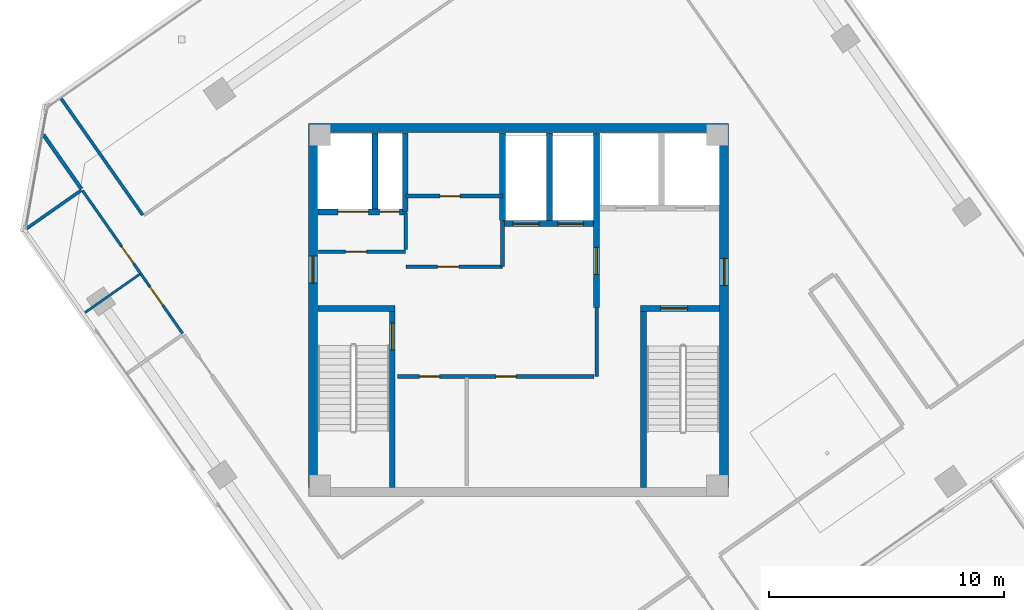
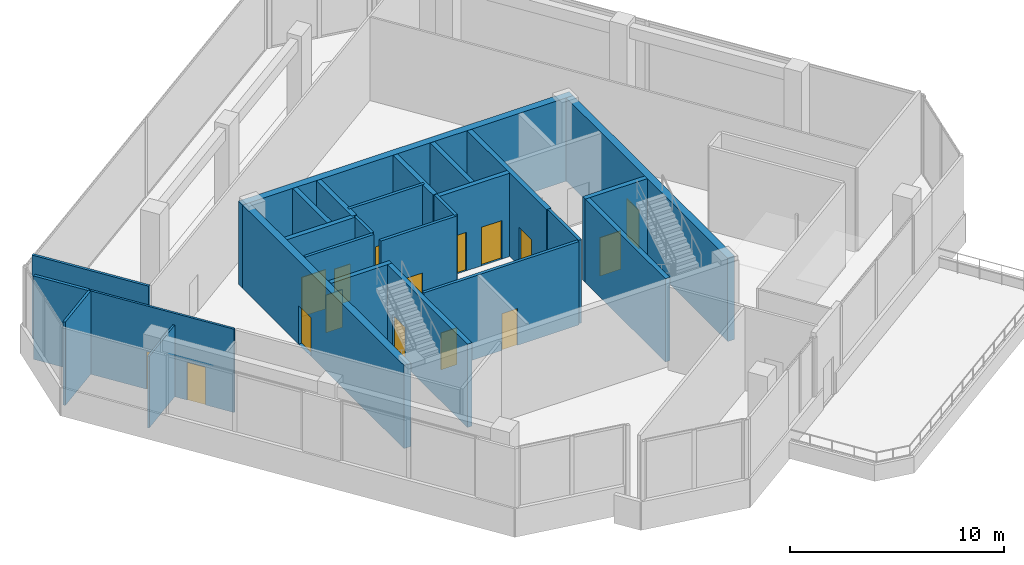
# One storey, part 11 of 16: 26 walls, 16 doors, 16 openings.
"""IFC4 building model written with IfcOpenShell, lengths in metres."""

from ifc_helpers import new_model, si_unit, direction, frame, frame_2d, origin, place, context, subcontext, project, spatial, rectangle, extrude, source, transform, mapped, material, layer, layer_set, type_object, element, fill, save


model = new_model("IFC4")

# Units and contexts
model_context = context("Model", 3, precision=1e-05, world=origin(), true_north=direction((0.0, 1.0)))
body_context = subcontext(model_context, "Body", "Model", "MODEL_VIEW")
ifc_project = project(units=[si_unit("LENGTHUNIT", "METRE"), si_unit("AREAUNIT", "SQUARE_METRE"), si_unit("VOLUMEUNIT", "CUBIC_METRE"), si_unit("PLANEANGLEUNIT", "RADIAN"), si_unit("MASSUNIT", "GRAM", prefix="KILO")], contexts=[model_context])

# Site, building, storey
site_placement = place(None, origin())
site = spatial("IfcSite", under=ifc_project, at=site_placement, CompositionType="ELEMENT")
building_placement = place(site_placement, origin())
building = spatial("IfcBuilding", under=site, at=building_placement, Name="Torre Montelarca", CompositionType="ELEMENT")
storey_placement = place(building_placement, frame((0.0, 0.0, 293.800048828125)))
storey = spatial("IfcBuildingStorey", under=building, at=storey_placement, Name="L66", CompositionType="ELEMENT", Elevation=293.800048828125)

# Wall, opening, door
ifc_material_1 = material(Name="Concrete C40/50", Category="concrete")
ifc_layer_1 = layer(ifc_material_1, 0.25, Name="Concrete C40/50", Category="concrete")
ifc_layer_set_1 = layer_set([ifc_layer_1], Name="Concrete C40/50")
wall_type_1 = type_object("IfcWallType", Name="CW-SHAFT-250", PredefinedType="SHEAR", material=ifc_layer_set_1)
wall_1_placement = place(storey_placement, frame((12.625, 24.4599609375, 0.0), z_axis=(0.0, 0.0, 1.0), x_axis=(0.0, 1.0, 0.0)))
wall_1 = element("IfcWall", 1, at=wall_1_placement, inside=storey, type_object=wall_type_1, Name="L66 Core Shear Wall SH-ST1-E", PredefinedType="SHEAR", context=body_context, shape_type="SweptSolid", body=[
    extrude(rectangle(XDim=7.489990234375, YDim=0.25, at=frame_2d((3.7451171875, 0.0))), origin(), (0.0, 0.0, 1.0), 4.760009765625),
])
opening_1_placement = place(wall_1_placement, frame((5.85009765625, 0.0, 0.0)))
opening_1 = element("IfcOpeningElement", 2, at=opening_1_placement, cuts=wall_1, Name="Opening FD-ST1", PredefinedType="OPENING", context=body_context, shape_type="SweptSolid", body=[
    extrude(rectangle(XDim=1.14990234375, YDim=2.199951171875, at=frame_2d((0.574951171875, 1.10009765625))), frame((0.0, 0.135009765625, 0.0), z_axis=(0.0, -1.0, 0.0), x_axis=(1.0, 0.0, 0.0)), (0.0, 0.0, 1.0), 0.27001953125),
])
ifc_material_2 = material(Name="Galvanized steel fire door", Category="steel")
door_type_1 = type_object("IfcDoorType", Name="DR-STAIR-115", OperationType="NOTDEFINED", PredefinedType="DOOR", material=ifc_material_2)
shared_shape_1 = source(origin(), body_context, "Body", "SweptSolid", [
    extrude(rectangle(XDim=1.14990234375, YDim=2.199951171875, at=frame_2d((0.574951171875, 1.10009765625))), frame((0.0, 0.02490234375, 0.0), z_axis=(0.0, -1.0, 0.0), x_axis=(1.0, 0.0, 0.0)), (0.0, 0.0, 1.0), 0.050048828125),
])
door_1_placement = place(opening_1_placement, origin())
door_1 = element("IfcDoor", 3, at=door_1_placement, inside=storey, type_object=door_type_1, Name="L66 Exit Stair ST1 Fire Door", OperationType="SINGLE_SWING_RIGHT", OverallHeight=2.199951171875, OverallWidth=1.14990234375, PredefinedType="DOOR", context=body_context, shape_type="MappedRepresentation", body=[
    mapped(shared_shape_1, transform((0.0, 0.0, 0.0), scale=1.0)),
])
fill(opening_1, door_1)

# Walls
wall_2_placement = place(storey_placement, frame((9.4599609375, 32.074951171875, 0.0), z_axis=(0.0, 0.0, 1.0), x_axis=(1.0, 0.0, 0.0)))
element("IfcWall", 4, at=wall_2_placement, inside=storey, type_object=wall_type_1, Name="L66 Core Shear Wall SH-ST1-N", PredefinedType="SHEAR", context=body_context, shape_type="SweptSolid", body=[
    extrude(rectangle(XDim=3.2900390625, YDim=0.25, at=frame_2d((1.64501953125, 0.0))), origin(), (0.0, 0.0, 1.0), 4.760009765625),
])
wall_3_placement = place(storey_placement, frame((23.31494140625, 24.4599609375, 0.0), z_axis=(0.0, 0.0, 1.0), x_axis=(0.0, 1.0, 0.0)))
element("IfcWall", 5, at=wall_3_placement, inside=storey, type_object=wall_type_1, Name="L66 Core Shear Wall SH-ST2-W", PredefinedType="SHEAR", context=body_context, shape_type="SweptSolid", body=[
    extrude(rectangle(XDim=7.489990234375, YDim=0.25, at=frame_2d((3.7451171875, 0.0))), origin(), (0.0, 0.0, 1.0), 4.760009765625),
])

# Wall, opening, door
wall_4_placement = place(storey_placement, frame((23.18994140625, 32.074951171875, 0.0), z_axis=(0.0, 0.0, 1.0), x_axis=(1.0, 0.0, 0.0)))
wall_4 = element("IfcWall", 6, at=wall_4_placement, inside=storey, type_object=wall_type_1, Name="L66 Core Shear Wall SH-ST2-N", PredefinedType="SHEAR", context=body_context, shape_type="SweptSolid", body=[
    extrude(rectangle(XDim=3.35009765625, YDim=0.25, at=frame_2d((1.675048828125, 0.0))), origin(), (0.0, 0.0, 1.0), 4.760009765625),
])
opening_2_placement = place(wall_4_placement, frame((0.85009765625, 0.0, 0.0)))
opening_2 = element("IfcOpeningElement", 7, at=opening_2_placement, cuts=wall_4, Name="Opening FD-ST1", PredefinedType="OPENING", context=body_context, shape_type="SweptSolid", body=[
    extrude(rectangle(XDim=1.14990234375, YDim=2.199951171875, at=frame_2d((0.574951171875, 1.10009765625))), frame((0.0, 0.135009765625, 0.0), z_axis=(0.0, -1.0, 0.0), x_axis=(1.0, 0.0, 0.0)), (0.0, 0.0, 1.0), 0.27001953125),
])
door_2_placement = place(opening_2_placement, origin())
door_2 = element("IfcDoor", 8, at=door_2_placement, inside=storey, type_object=door_type_1, Name="L66 Exit Stair ST2 Fire Door", OperationType="SINGLE_SWING_RIGHT", OverallHeight=2.199951171875, OverallWidth=1.14990234375, PredefinedType="DOOR", context=body_context, shape_type="MappedRepresentation", body=[
    mapped(shared_shape_1, transform((0.0, 0.0, 0.0), scale=1.0)),
])
fill(opening_2, door_2)

wall_5_placement = place(storey_placement, frame((21.320068359375, 32.1201171875, 0.0), z_axis=(0.0, 0.0, 1.0), x_axis=(0.0, 1.0, 0.0)))
wall_5 = element("IfcWall", 9, at=wall_5_placement, inside=storey, type_object=wall_type_1, Name="L66 Core Shear Wall SH-FFL-W", PredefinedType="SHEAR", context=body_context, shape_type="SweptSolid", body=[
    extrude(rectangle(XDim=7.419921875, YDim=0.25, at=frame_2d((3.7099609375, 0.0))), origin(), (0.0, 0.0, 1.0), 4.760009765625),
])
opening_3_placement = place(wall_5_placement, frame((1.39990234375, 0.0, 0.0)))
opening_3 = element("IfcOpeningElement", 10, at=opening_3_placement, cuts=wall_5, Name="Opening FD-LB1", PredefinedType="OPENING", context=body_context, shape_type="SweptSolid", body=[
    extrude(rectangle(XDim=1.14990234375, YDim=2.199951171875, at=frame_2d((0.574951171875, 1.10009765625))), frame((0.0, 0.135009765625, 0.0), z_axis=(0.0, -1.0, 0.0), x_axis=(1.0, 0.0, 0.0)), (0.0, 0.0, 1.0), 0.27001953125),
])
ifc_material_3 = material(Name="Acoustic timber-veneered fire door", Category="wood")
door_type_2 = type_object("IfcDoorType", Name="DR-LOBBY-115", OperationType="NOTDEFINED", PredefinedType="DOOR", material=ifc_material_3)
shared_shape_2 = source(origin(), body_context, "Body", "SweptSolid", [
    extrude(rectangle(XDim=1.14990234375, YDim=2.199951171875, at=frame_2d((0.574951171875, 1.10009765625))), frame((0.0, 0.02490234375, 0.0), z_axis=(0.0, -1.0, 0.0), x_axis=(1.0, 0.0, 0.0)), (0.0, 0.0, 1.0), 0.050048828125),
])
door_3_placement = place(opening_3_placement, origin())
door_3 = element("IfcDoor", 11, at=door_3_placement, inside=storey, type_object=door_type_2, Name="L66 Lift Lobby to Firefighting Lobby Smoke Door", OperationType="SINGLE_SWING_LEFT", OverallHeight=2.199951171875, OverallWidth=1.14990234375, PredefinedType="DOOR", context=body_context, shape_type="MappedRepresentation", body=[
    mapped(shared_shape_2, transform((0.0, 0.0, 0.0), scale=1.0)),
])
fill(opening_3, door_3)

# Wall, openings, doors
wall_6_placement = place(storey_placement, frame((9.4599609375, 36.179931640625, 0.0), z_axis=(0.0, 0.0, 1.0), x_axis=(1.0, 0.0, 0.0)))
wall_6 = element("IfcWall", 12, at=wall_6_placement, inside=storey, type_object=wall_type_1, Name="L66 Core Shear Wall SH-SV1-S", PredefinedType="SHEAR", context=body_context, shape_type="SweptSolid", body=[
    extrude(rectangle(XDim=3.7900390625, YDim=0.25, at=frame_2d((1.89501953125, 0.0))), origin(), (0.0, 0.0, 1.0), 4.760009765625),
])
opening_4_placement = place(wall_6_placement, frame((2.6201171875, 0.0, 0.0)))
opening_4 = element("IfcOpeningElement", 13, at=opening_4_placement, cuts=wall_6, Name="Opening FD-085", PredefinedType="OPENING", context=body_context, shape_type="SweptSolid", body=[
    extrude(rectangle(XDim=0.85009765625, YDim=2.10009765625, at=frame_2d((0.425048828125, 1.050048828125))), frame((0.0, 0.135009765625, 0.0), z_axis=(0.0, -1.0, 0.0), x_axis=(1.0, 0.0, 0.0)), (0.0, 0.0, 1.0), 0.27001953125),
])
opening_5_placement = place(wall_6_placement, frame((0.85009765625, 0.0, 0.0)))
opening_5 = element("IfcOpeningElement", 14, at=opening_5_placement, cuts=wall_6, Name="Opening LD-130", PredefinedType="OPENING", context=body_context, shape_type="SweptSolid", body=[
    extrude(rectangle(XDim=1.300048828125, YDim=2.25, at=frame_2d((0.64990234375, 1.125))), frame((0.0, 0.135009765625, 0.0), z_axis=(0.0, -1.0, 0.0), x_axis=(1.0, 0.0, 0.0)), (0.0, 0.0, 1.0), 0.27001953125),
])
ifc_material_4 = material(Name="Steel riser access fire door", Category="steel")
door_type_3 = type_object("IfcDoorType", Name="DR-RISER-085", OperationType="NOTDEFINED", PredefinedType="DOOR", material=ifc_material_4)
shared_shape_3 = source(origin(), body_context, "Body", "SweptSolid", [
    extrude(rectangle(XDim=0.85009765625, YDim=2.10009765625, at=frame_2d((0.425048828125, 1.050048828125))), frame((0.0, 0.02490234375, 0.0), z_axis=(0.0, -1.0, 0.0), x_axis=(1.0, 0.0, 0.0)), (0.0, 0.0, 1.0), 0.050048828125),
])
door_4_placement = place(opening_4_placement, origin())
door_4 = element("IfcDoor", 15, at=door_4_placement, inside=storey, type_object=door_type_3, Name="L66 Electrical Riser Shaft Access Door", OperationType="SINGLE_SWING_RIGHT", OverallHeight=2.10009765625, OverallWidth=0.85009765625, PredefinedType="DOOR", context=body_context, shape_type="MappedRepresentation", body=[
    mapped(shared_shape_3, transform((0.0, 0.0, 0.0), scale=1.0)),
])
fill(opening_4, door_4)
ifc_material_5 = material(Name="Brushed stainless steel AISI 316", Category="steel")
door_type_4 = type_object("IfcDoorType", Name="DR-LIFT-130", OperationType="SLIDING_TO_LEFT", PredefinedType="DOOR", material=ifc_material_5)
shared_shape_4 = source(origin(), body_context, "Body", "SweptSolid", [
    extrude(rectangle(XDim=1.300048828125, YDim=2.25, at=frame_2d((0.64990234375, 1.125))), frame((0.0, 0.02490234375, 0.0), z_axis=(0.0, -1.0, 0.0), x_axis=(1.0, 0.0, 0.0)), (0.0, 0.0, 1.0), 0.050048828125),
])
door_5_placement = place(opening_5_placement, origin())
door_5 = element("IfcDoor", 16, at=door_5_placement, inside=storey, type_object=door_type_4, Name="L66 Lift Landing Sliding Door SV-1", OperationType="SLIDING_TO_LEFT", OverallHeight=2.25, OverallWidth=1.300048828125, PredefinedType="DOOR", context=body_context, shape_type="MappedRepresentation", body=[
    mapped(shared_shape_4, transform((0.0, 0.0, 0.0), scale=1.0)),
])
fill(opening_5, door_5)

# Walls
wall_7_placement = place(storey_placement, frame((11.89990234375, 36.31005859375, 0.0), z_axis=(0.0, 0.0, 1.0), x_axis=(0.0, 1.0, 0.0)))
element("IfcWall", 17, at=wall_7_placement, inside=storey, type_object=wall_type_1, Name="L66 Core Shear Wall SH-SV1-E", PredefinedType="SHEAR", context=body_context, shape_type="SweptSolid", body=[
    extrude(rectangle(XDim=3.22998046875, YDim=0.25, at=frame_2d((1.614990234375, 0.0))), origin(), (0.0, 0.0, 1.0), 4.760009765625),
])
wall_8_placement = place(storey_placement, frame((13.179931640625, 36.199951171875, 0.0), z_axis=(0.0, 0.0, 1.0), x_axis=(0.0, 1.0, 0.0)))
element("IfcWall", 18, at=wall_8_placement, inside=storey, type_object=wall_type_1, Name="L66 Core Shear Wall SH-RSR1-E", PredefinedType="SHEAR", context=body_context, shape_type="SweptSolid", body=[
    extrude(rectangle(XDim=3.340087890625, YDim=0.25, at=frame_2d((1.669921875, 0.0))), origin(), (0.0, 0.0, 1.0), 4.760009765625),
])

# Wall, openings, doors
wall_9_placement = place(storey_placement, frame((17.320068359375, 35.679931640625, 0.0), z_axis=(0.0, 0.0, 1.0), x_axis=(1.0, 0.0, 0.0)))
wall_9 = element("IfcWall", 19, at=wall_9_placement, inside=storey, type_object=wall_type_1, Name="L66 Core Shear Wall SH-PLH-S", PredefinedType="SHEAR", context=body_context, shape_type="SweptSolid", body=[
    extrude(rectangle(XDim=3.869873046875, YDim=0.25, at=frame_2d((1.93505859375, 0.0))), origin(), (0.0, 0.0, 1.0), 4.760009765625),
])
opening_6_placement = place(wall_9_placement, frame((0.449951171875, 0.0, 0.0)))
opening_6 = element("IfcOpeningElement", 20, at=opening_6_placement, cuts=wall_9, Name="Opening LD-110", PredefinedType="OPENING", context=body_context, shape_type="SweptSolid", body=[
    extrude(rectangle(XDim=1.10009765625, YDim=2.199951171875, at=frame_2d((0.550048828125, 1.10009765625))), frame((0.0, 0.135009765625, 0.0), z_axis=(0.0, -1.0, 0.0), x_axis=(1.0, 0.0, 0.0)), (0.0, 0.0, 1.0), 0.27001953125),
])
opening_7_placement = place(wall_9_placement, frame((2.35009765625, 0.0, 0.0)))
opening_7 = element("IfcOpeningElement", 21, at=opening_7_placement, cuts=wall_9, Name="Opening LD-110", PredefinedType="OPENING", context=body_context, shape_type="SweptSolid", body=[
    extrude(rectangle(XDim=1.10009765625, YDim=2.199951171875, at=frame_2d((0.550048828125, 1.10009765625))), frame((0.0, 0.135009765625, 0.0), z_axis=(0.0, -1.0, 0.0), x_axis=(1.0, 0.0, 0.0)), (0.0, 0.0, 1.0), 0.27001953125),
])
door_type_5 = type_object("IfcDoorType", Name="DR-LIFT-110", OperationType="SLIDING_TO_LEFT", PredefinedType="DOOR", material=ifc_material_5)
shared_shape_5 = source(origin(), body_context, "Body", "SweptSolid", [
    extrude(rectangle(XDim=1.10009765625, YDim=2.199951171875, at=frame_2d((0.550048828125, 1.10009765625))), frame((0.0, 0.02490234375, 0.0), z_axis=(0.0, -1.0, 0.0), x_axis=(1.0, 0.0, 0.0)), (0.0, 0.0, 1.0), 0.050048828125),
])
door_6_placement = place(opening_6_placement, origin())
door_6 = element("IfcDoor", 22, at=door_6_placement, inside=storey, type_object=door_type_5, Name="L66 Lift Landing Sliding Door PL-H1", OperationType="SLIDING_TO_LEFT", OverallHeight=2.199951171875, OverallWidth=1.10009765625, PredefinedType="DOOR", context=body_context, shape_type="MappedRepresentation", body=[
    mapped(shared_shape_5, transform((0.0, 0.0, 0.0), scale=1.0)),
])
fill(opening_6, door_6)
door_7_placement = place(opening_7_placement, origin())
door_7 = element("IfcDoor", 23, at=door_7_placement, inside=storey, type_object=door_type_5, Name="L66 Lift Landing Sliding Door PL-H2", OperationType="SLIDING_TO_RIGHT", OverallHeight=2.199951171875, OverallWidth=1.10009765625, PredefinedType="DOOR", context=body_context, shape_type="MappedRepresentation", body=[
    mapped(shared_shape_5, transform((0.0, 0.0, 0.0), scale=1.0)),
])
fill(opening_7, door_7)

# Walls
for number, where, z_axis, x_axis, name in (
    (24, (17.320068359375, 35.81005859375, 0.0), (0.0, 0.0, 1.0), (0.0, 1.0, 0.0), "L66 Core Shear Wall SH-PLH-W"),
    (25, (19.320068359375, 35.81005859375, 0.0), (0.0, 0.0, 1.0), (0.0, 1.0, 0.0), "L66 Core Shear Wall SH-PLH-M"),
):
    element("IfcWall", number, at=place(storey_placement, frame(where, z_axis=z_axis, x_axis=x_axis)), inside=storey, type_object=wall_type_1, Name=name, PredefinedType="SHEAR", context=body_context, shape_type="SweptSolid", body=[
        extrude(rectangle(XDim=3.72998046875, YDim=0.25, at=frame_2d((1.864990234375, 0.0))), origin(), (0.0, 0.0, 1.0), 4.760009765625),
    ])

# Wall, opening, door
ifc_layer_2 = layer(ifc_material_1, 0.3798828125, Name="Concrete C40/50", Category="concrete")
ifc_layer_set_2 = layer_set([ifc_layer_2], Name="Concrete C40/50")
wall_type_2 = type_object("IfcWallType", Name="CW-SHEAR-380", PredefinedType="SHEAR", material=ifc_layer_set_2)
wall_10_placement = place(storey_placement, frame((9.260009765625, 24.449951171875, 0.0), z_axis=(0.0, 0.0, 1.0), x_axis=(0.0, 1.0, 0.0)))
wall_10 = element("IfcWall", 26, at=wall_10_placement, inside=storey, type_object=wall_type_2, Name="L66 Core Shear Wall CW-W", PredefinedType="SHEAR", context=body_context, shape_type="SweptSolid", body=[
    extrude(rectangle(XDim=15.10009765625, YDim=0.3798828125, at=frame_2d((7.550048828125, 0.0))), origin(), (0.0, 0.0, 1.0), 4.760009765625),
])
opening_8_placement = place(wall_10_placement, frame((8.699951171875, 0.0, 0.0)))
opening_8 = element("IfcOpeningElement", 27, at=opening_8_placement, cuts=wall_10, Name="Opening FD-LB1", PredefinedType="OPENING", context=body_context, shape_type="SweptSolid", body=[
    extrude(rectangle(XDim=1.14990234375, YDim=2.199951171875, at=frame_2d((0.574951171875, 1.10009765625))), frame((0.0, 0.199951171875, 0.0), z_axis=(0.0, -1.0, 0.0), x_axis=(1.0, 0.0, 0.0)), (0.0, 0.0, 1.0), 0.39990234375),
])
door_8_placement = place(opening_8_placement, origin())
door_8 = element("IfcDoor", 28, at=door_8_placement, inside=storey, type_object=door_type_2, Name="L66 Passenger Lift Lobby West Corridor Fire Door", OperationType="SINGLE_SWING_RIGHT", OverallHeight=2.199951171875, OverallWidth=1.14990234375, PredefinedType="DOOR", context=body_context, shape_type="MappedRepresentation", body=[
    mapped(shared_shape_2, transform((0.0, 0.0, 0.0), scale=1.0)),
])
fill(opening_8, door_8)

wall_11_placement = place(storey_placement, frame((26.739990234375, 24.449951171875, 0.0), z_axis=(0.0, 0.0, 1.0), x_axis=(0.0, 1.0, 0.0)))
wall_11 = element("IfcWall", 29, at=wall_11_placement, inside=storey, type_object=wall_type_2, Name="L66 Core Shear Wall CW-E", PredefinedType="SHEAR", context=body_context, shape_type="SweptSolid", body=[
    extrude(rectangle(XDim=15.10009765625, YDim=0.3798828125, at=frame_2d((7.550048828125, 0.0))), origin(), (0.0, 0.0, 1.0), 4.760009765625),
])
opening_9_placement = place(wall_11_placement, frame((8.60009765625, 0.0, 0.0)))
opening_9 = element("IfcOpeningElement", 30, at=opening_9_placement, cuts=wall_11, Name="Opening FD-LB1", PredefinedType="OPENING", context=body_context, shape_type="SweptSolid", body=[
    extrude(rectangle(XDim=1.14990234375, YDim=2.199951171875, at=frame_2d((0.574951171875, 1.10009765625))), frame((0.0, 0.199951171875, 0.0), z_axis=(0.0, -1.0, 0.0), x_axis=(1.0, 0.0, 0.0)), (0.0, 0.0, 1.0), 0.39990234375),
])
door_9_placement = place(opening_9_placement, origin())
door_9 = element("IfcDoor", 31, at=door_9_placement, inside=storey, type_object=door_type_2, Name="L66 Firefighting Lift Lobby Corridor Fire Door", OperationType="SINGLE_SWING_RIGHT", OverallHeight=2.199951171875, OverallWidth=1.14990234375, PredefinedType="DOOR", context=body_context, shape_type="MappedRepresentation", body=[
    mapped(shared_shape_2, transform((0.0, 0.0, 0.0), scale=1.0)),
])
fill(opening_9, door_9)

# Wall
wall_12_placement = place(storey_placement, frame((9.070068359375, 39.739990234375, 0.0), z_axis=(0.0, 0.0, 1.0), x_axis=(1.0, 0.0, 0.0)))
element("IfcWall", 32, at=wall_12_placement, inside=storey, type_object=wall_type_2, Name="L66 Core Shear Wall CW-N1", PredefinedType="SHEAR", context=body_context, shape_type="SweptSolid", body=[
    extrude(rectangle(XDim=17.85986328125, YDim=0.3798828125, at=frame_2d((8.929931640625, 0.0))), origin(), (0.0, 0.0, 1.0), 4.760009765625),
])

# Wall, opening, door
ifc_material_6 = material(Name="Gypsum plasterboard on steel stud", Category="steel")
ifc_layer_3 = layer(ifc_material_6, 0.159912109375, Name="Gypsum plasterboard on steel stud", Category="steel")
ifc_layer_set_3 = layer_set([ifc_layer_3], Name="Gypsum plasterboard on steel stud")
wall_type_3 = type_object("IfcWallType", Name="PW-FIRE-160", PredefinedType="PARTITIONING", material=ifc_layer_set_3)
wall_13_placement = place(storey_placement, frame((9.489990234375, 34.47998046875, 0.0), z_axis=(0.0, 0.0, 1.0), x_axis=(1.0, 0.0, 0.0)))
wall_13 = element("IfcWall", 33, at=wall_13_placement, inside=storey, type_object=wall_type_3, Name="L66 Interior Partition CW-L66-SVS", PredefinedType="PARTITIONING", context=body_context, shape_type="SweptSolid", body=[
    extrude(rectangle(XDim=3.699951171875, YDim=0.159912109375, at=frame_2d((1.85009765625, 0.0))), origin(), (0.0, 0.0, 1.0), 4.760009765625),
])
opening_10_placement = place(wall_13_placement, frame((1.14990234375, 0.0, 0.0)))
opening_10 = element("IfcOpeningElement", 34, at=opening_10_placement, cuts=wall_13, Name="Opening FD-090", PredefinedType="OPENING", context=body_context, shape_type="SweptSolid", body=[
    extrude(rectangle(XDim=0.89990234375, YDim=2.14990234375, at=frame_2d((0.449951171875, 1.074951171875))), frame((0.0, 0.08984375, 0.0), z_axis=(0.0, -1.0, 0.0), x_axis=(1.0, 0.0, 0.0)), (0.0, 0.0, 1.0), 0.179931640625),
])
ifc_material_7 = material(Name="Steel service fire door", Category="steel")
door_type_6 = type_object("IfcDoorType", Name="DR-FIRE-090", OperationType="NOTDEFINED", PredefinedType="DOOR", material=ifc_material_7)
shared_shape_6 = source(origin(), body_context, "Body", "SweptSolid", [
    extrude(rectangle(XDim=0.89990234375, YDim=2.14990234375, at=frame_2d((0.449951171875, 1.074951171875))), frame((0.0, 0.02490234375, 0.0), z_axis=(0.0, -1.0, 0.0), x_axis=(1.0, 0.0, 0.0)), (0.0, 0.0, 1.0), 0.050048828125),
])
door_10_placement = place(opening_10_placement, origin())
door_10 = element("IfcDoor", 35, at=door_10_placement, inside=storey, type_object=door_type_6, Name="L66 Interior Door 01", OperationType="SINGLE_SWING_RIGHT", OverallHeight=2.14990234375, OverallWidth=0.89990234375, PredefinedType="DOOR", context=body_context, shape_type="MappedRepresentation", body=[
    mapped(shared_shape_6, transform((0.0, 0.0, 0.0), scale=1.0)),
])
fill(opening_10, door_10)

# Wall
wall_14_placement = place(storey_placement, frame((13.199951171875, 34.570068359375, 0.0), z_axis=(0.0, 0.0, 1.0), x_axis=(0.0, 1.0, 0.0)))
element("IfcWall", 36, at=wall_14_placement, inside=storey, type_object=wall_type_3, Name="L66 Interior Partition CW-L66-SVE", PredefinedType="PARTITIONING", context=body_context, shape_type="SweptSolid", body=[
    extrude(rectangle(XDim=1.56982421875, YDim=0.159912109375, at=frame_2d((0.784912109375, 0.0))), origin(), (0.0, 0.0, 1.0), 4.760009765625),
])

# Wall, opening, door
wall_15_placement = place(storey_placement, frame((13.2099609375, 33.85009765625, 0.0), z_axis=(0.0, 0.0, 1.0), x_axis=(1.0, 0.0, 0.0)))
wall_15 = element("IfcWall", 37, at=wall_15_placement, inside=storey, type_object=wall_type_3, Name="L66 Interior Partition CW-L66-FRMS", PredefinedType="PARTITIONING", context=body_context, shape_type="SweptSolid", body=[
    extrude(rectangle(XDim=4.10009765625, YDim=0.159912109375, at=frame_2d((2.050048828125, 0.0))), origin(), (0.0, 0.0, 1.0), 4.760009765625),
])
opening_11_placement = place(wall_15_placement, frame((1.35009765625, 0.0, 0.0)))
opening_11 = element("IfcOpeningElement", 38, at=opening_11_placement, cuts=wall_15, Name="Opening FD-090", PredefinedType="OPENING", context=body_context, shape_type="SweptSolid", body=[
    extrude(rectangle(XDim=0.89990234375, YDim=2.14990234375, at=frame_2d((0.449951171875, 1.074951171875))), frame((0.0, 0.08984375, 0.0), z_axis=(0.0, -1.0, 0.0), x_axis=(1.0, 0.0, 0.0)), (0.0, 0.0, 1.0), 0.179931640625),
])
door_11_placement = place(opening_11_placement, origin())
door_11 = element("IfcDoor", 39, at=door_11_placement, inside=storey, type_object=door_type_6, Name="L66 Interior Door 02", OperationType="SINGLE_SWING_LEFT", OverallHeight=2.14990234375, OverallWidth=0.89990234375, PredefinedType="DOOR", context=body_context, shape_type="MappedRepresentation", body=[
    mapped(shared_shape_6, transform((0.0, 0.0, 0.0), scale=1.0)),
])
fill(opening_11, door_11)

# Wall
wall_16_placement = place(storey_placement, frame((17.320068359375, 33.860107421875, 0.0), z_axis=(0.0, 0.0, 1.0), x_axis=(0.0, 1.0, 0.0)))
element("IfcWall", 40, at=wall_16_placement, inside=storey, type_object=wall_type_3, Name="L66 Interior Partition CW-L66-FRME", PredefinedType="PARTITIONING", context=body_context, shape_type="SweptSolid", body=[
    extrude(rectangle(XDim=1.929931640625, YDim=0.159912109375, at=frame_2d((0.96484375, 0.0))), origin(), (0.0, 0.0, 1.0), 4.760009765625),
])

# Wall, opening, door
wall_17_placement = place(storey_placement, frame((13.2099609375, 36.85009765625, 0.0), z_axis=(0.0, 0.0, 1.0), x_axis=(1.0, 0.0, 0.0)))
wall_17 = element("IfcWall", 41, at=wall_17_placement, inside=storey, type_object=wall_type_3, Name="L66 Interior Partition CW-L66-FRMD", PredefinedType="PARTITIONING", context=body_context, shape_type="SweptSolid", body=[
    extrude(rectangle(XDim=4.10009765625, YDim=0.159912109375, at=frame_2d((2.050048828125, 0.0))), origin(), (0.0, 0.0, 1.0), 4.760009765625),
])
opening_12_placement = place(wall_17_placement, frame((1.449951171875, 0.0, 0.0)))
opening_12 = element("IfcOpeningElement", 42, at=opening_12_placement, cuts=wall_17, Name="Opening FD-085", PredefinedType="OPENING", context=body_context, shape_type="SweptSolid", body=[
    extrude(rectangle(XDim=0.85009765625, YDim=2.10009765625, at=frame_2d((0.425048828125, 1.050048828125))), frame((0.0, 0.08984375, 0.0), z_axis=(0.0, -1.0, 0.0), x_axis=(1.0, 0.0, 0.0)), (0.0, 0.0, 1.0), 0.179931640625),
])
door_12_placement = place(opening_12_placement, origin())
door_12 = element("IfcDoor", 43, at=door_12_placement, inside=storey, type_object=door_type_3, Name="L66 Interior Door 03", OperationType="SINGLE_SWING_RIGHT", OverallHeight=2.10009765625, OverallWidth=0.85009765625, PredefinedType="DOOR", context=body_context, shape_type="MappedRepresentation", body=[
    mapped(shared_shape_3, transform((0.0, 0.0, 0.0), scale=1.0)),
])
fill(opening_12, door_12)

# Wall, openings, doors
wall_18_placement = place(storey_placement, frame((12.840087890625, 29.179931640625, 0.0), z_axis=(0.0, 0.0, 1.0), x_axis=(1.0, 0.0, 0.0)))
wall_18 = element("IfcWall", 44, at=wall_18_placement, inside=storey, type_object=wall_type_3, Name="L66 Interior Partition CW-L66-FRDN", PredefinedType="PARTITIONING", context=body_context, shape_type="SweptSolid", body=[
    extrude(rectangle(XDim=8.369873046875, YDim=0.159912109375, at=frame_2d((4.18505859375, 0.0))), origin(), (0.0, 0.0, 1.0), 4.760009765625),
])
opening_13_placement = place(wall_18_placement, frame((0.949951171875, 0.0, 0.0)))
opening_13 = element("IfcOpeningElement", 45, at=opening_13_placement, cuts=wall_18, Name="Opening FD-085", PredefinedType="OPENING", context=body_context, shape_type="SweptSolid", body=[
    extrude(rectangle(XDim=0.85009765625, YDim=2.10009765625, at=frame_2d((0.425048828125, 1.050048828125))), frame((0.0, 0.08984375, 0.0), z_axis=(0.0, -1.0, 0.0), x_axis=(1.0, 0.0, 0.0)), (0.0, 0.0, 1.0), 0.179931640625),
])
opening_14_placement = place(wall_18_placement, frame((4.199951171875, 0.0, 0.0)))
opening_14 = element("IfcOpeningElement", 46, at=opening_14_placement, cuts=wall_18, Name="Opening FD-085", PredefinedType="OPENING", context=body_context, shape_type="SweptSolid", body=[
    extrude(rectangle(XDim=0.85009765625, YDim=2.10009765625, at=frame_2d((0.425048828125, 1.050048828125))), frame((0.0, 0.08984375, 0.0), z_axis=(0.0, -1.0, 0.0), x_axis=(1.0, 0.0, 0.0)), (0.0, 0.0, 1.0), 0.179931640625),
])
door_13_placement = place(opening_13_placement, origin())
door_13 = element("IfcDoor", 47, at=door_13_placement, inside=storey, type_object=door_type_3, Name="L66 Interior Door 04", OperationType="SINGLE_SWING_LEFT", OverallHeight=2.10009765625, OverallWidth=0.85009765625, PredefinedType="DOOR", context=body_context, shape_type="MappedRepresentation", body=[
    mapped(shared_shape_3, transform((0.0, 0.0, 0.0), scale=1.0)),
])
fill(opening_13, door_13)
door_14_placement = place(opening_14_placement, origin())
door_14 = element("IfcDoor", 48, at=door_14_placement, inside=storey, type_object=door_type_3, Name="L66 Interior Door 05", OperationType="SINGLE_SWING_RIGHT", OverallHeight=2.10009765625, OverallWidth=0.85009765625, PredefinedType="DOOR", context=body_context, shape_type="MappedRepresentation", body=[
    mapped(shared_shape_3, transform((0.0, 0.0, 0.0), scale=1.0)),
])
fill(opening_14, door_14)

# Walls
wall_19_placement = place(storey_placement, frame((21.320068359375, 29.18994140625, 0.0), z_axis=(0.0, 0.0, 1.0), x_axis=(0.0, 1.0, 0.0)))
element("IfcWall", 49, at=wall_19_placement, inside=storey, type_object=wall_type_3, Name="L66 Interior Partition CW-L66-FRE", PredefinedType="PARTITIONING", context=body_context, shape_type="SweptSolid", body=[
    extrude(rectangle(XDim=2.920166015625, YDim=0.159912109375, at=frame_2d((1.4599609375, 0.0))), origin(), (0.0, 0.0, 1.0), 4.760009765625),
])
wall_20_placement = place(storey_placement, frame((-2.214111328125, 39.47119140625, 0.0), z_axis=(0.0, 0.0, 1.0), x_axis=(0.573653267657, -0.819098241059, 0.0)))
element("IfcWall", 50, at=wall_20_placement, inside=storey, type_object=wall_type_3, Name="L66 Interior Partition W-L66-SOCCW", PredefinedType="PARTITIONING", context=body_context, shape_type="SweptSolid", body=[
    extrude(rectangle(XDim=2.831787109375, YDim=0.159912109375, at=frame_2d((1.416015625, 0.0))), origin(), (0.0, 0.0, 1.0), 4.760009765625),
])
ifc_material_8 = material(Name="Acoustic laminated glass partition", Category="glass")
ifc_layer_4 = layer(ifc_material_8, 0.10009765625, Name="Acoustic laminated glass partition", Category="glass")
ifc_layer_set_4 = layer_set([ifc_layer_4], Name="Acoustic laminated glass partition")
wall_type_4 = type_object("IfcWallType", Name="PW-GLAZ-100", PredefinedType="PARTITIONING", material=ifc_layer_set_4)
wall_21_placement = place(storey_placement, frame((-0.430908203125, 31.903564453125, 0.0), z_axis=(0.0, 0.0, 1.0), x_axis=(0.819122867865, 0.573618102347, 0.0)))
element("IfcWall", 51, at=wall_21_placement, inside=storey, type_object=wall_type_4, Name="L66 Interior Partition W-L66-WCD", PredefinedType="PARTITIONING", context=body_context, shape_type="SweptSolid", body=[
    extrude(rectangle(XDim=2.840087890625, YDim=0.10009765625, at=frame_2d((1.419921875, 0.0))), origin(), (0.0, 0.0, 1.0), 4.094970703125),
])

# Wall, openings, doors
ifc_layer_5 = layer(ifc_material_6, 0.114990234375, Name="Gypsum plasterboard on steel stud", Category="steel")
ifc_layer_set_5 = layer_set([ifc_layer_5], Name="Gypsum plasterboard on steel stud")
wall_type_5 = type_object("IfcWallType", Name="PW-PART-115", PredefinedType="PARTITIONING", material=ifc_layer_set_5)
wall_22_placement = place(storey_placement, frame((-0.543701171875, 37.0859375, 0.0), z_axis=(0.0, 0.0, 1.0), x_axis=(0.573568336404, -0.819157715873, 0.0)))
wall_22 = element("IfcWall", 52, at=wall_22_placement, inside=storey, type_object=wall_type_5, Name="L66 Interior Partition W-L66-WCN", PredefinedType="PARTITIONING", context=body_context, shape_type="SweptSolid", body=[
    extrude(rectangle(XDim=7.419921875, YDim=0.114990234375, at=frame_2d((3.7099609375, 0.0))), origin(), (0.0, 0.0, 1.0), 4.760009765625),
])
opening_15_placement = place(wall_22_placement, frame((2.89990234375, 0.0, 0.0)))
opening_15 = element("IfcOpeningElement", 53, at=opening_15_placement, cuts=wall_22, Name="Opening ID-090", PredefinedType="OPENING", context=body_context, shape_type="SweptSolid", body=[
    extrude(rectangle(XDim=0.89990234375, YDim=2.14990234375, at=frame_2d((0.449951171875, 1.074951171875))), frame((0.0, 0.0673828125, 0.0), z_axis=(0.0, -1.0, 0.0), x_axis=(1.0, 0.0, 0.0)), (0.0, 0.0, 1.0), 0.135009765625),
])
opening_16_placement = place(wall_22_placement, frame((5.0, 0.0, 0.0)))
opening_16 = element("IfcOpeningElement", 54, at=opening_16_placement, cuts=wall_22, Name="Opening ID-095", PredefinedType="OPENING", context=body_context, shape_type="SweptSolid", body=[
    extrude(rectangle(XDim=0.949951171875, YDim=2.14990234375, at=frame_2d((0.47509765625, 1.074951171875))), frame((0.0, 0.0673828125, 0.0), z_axis=(0.0, -1.0, 0.0), x_axis=(1.0, 0.0, 0.0)), (0.0, 0.0, 1.0), 0.135009765625),
])
ifc_material_9 = material(Name="Hardwood acoustic timber veneer", Category="wood")
door_type_7 = type_object("IfcDoorType", Name="DR-INT-090", OperationType="NOTDEFINED", PredefinedType="DOOR", material=ifc_material_9)
shared_shape_7 = source(origin(), body_context, "Body", "SweptSolid", [
    extrude(rectangle(XDim=0.89990234375, YDim=2.14990234375, at=frame_2d((0.449951171875, 1.074951171875))), frame((0.0, 0.02490234375, 0.0), z_axis=(0.0, -1.0, 0.0), x_axis=(1.0, 0.0, 0.0)), (0.0, 0.0, 1.0), 0.050048828125),
])
door_15_placement = place(opening_15_placement, origin())
door_15 = element("IfcDoor", 55, at=door_15_placement, inside=storey, type_object=door_type_7, Name="L66 Interior Door 06", OperationType="SINGLE_SWING_LEFT", OverallHeight=2.14990234375, OverallWidth=0.89990234375, PredefinedType="DOOR", context=body_context, shape_type="MappedRepresentation", body=[
    mapped(shared_shape_7, transform((0.0, 0.0, 0.0), scale=1.0)),
])
fill(opening_15, door_15)
door_type_8 = type_object("IfcDoorType", Name="DR-INT-095", OperationType="NOTDEFINED", PredefinedType="DOOR", material=ifc_material_9)
shared_shape_8 = source(origin(), body_context, "Body", "SweptSolid", [
    extrude(rectangle(XDim=0.949951171875, YDim=2.14990234375, at=frame_2d((0.47509765625, 1.074951171875))), frame((0.0, 0.02490234375, 0.0), z_axis=(0.0, -1.0, 0.0), x_axis=(1.0, 0.0, 0.0)), (0.0, 0.0, 1.0), 0.050048828125),
])
door_16_placement = place(opening_16_placement, origin())
door_16 = element("IfcDoor", 56, at=door_16_placement, inside=storey, type_object=door_type_8, Name="L66 Interior Door 07", OperationType="SINGLE_SWING_RIGHT", OverallHeight=2.14990234375, OverallWidth=0.949951171875, PredefinedType="DOOR", context=body_context, shape_type="MappedRepresentation", body=[
    mapped(shared_shape_8, transform((0.0, 0.0, 0.0), scale=1.0)),
])
fill(opening_16, door_16)

# Walls
ifc_layer_6 = layer(ifc_material_6, 0.135009765625, Name="Gypsum plasterboard on steel stud", Category="steel")
ifc_layer_set_6 = layer_set([ifc_layer_6], Name="Gypsum plasterboard on steel stud")
wall_type_6 = type_object("IfcWallType", Name="PW-PART-135", PredefinedType="PARTITIONING", material=ifc_layer_set_6)
wall_23_placement = place(storey_placement, frame((-2.919189453125, 35.471435546875, 0.0), z_axis=(0.0, 0.0, 1.0), x_axis=(0.819098241059, 0.573653267657, 0.0)))
element("IfcWall", 57, at=wall_23_placement, inside=storey, type_object=wall_type_6, Name="L66 Interior Partition W-L66-WCW", PredefinedType="PARTITIONING", context=body_context, shape_type="SweptSolid", body=[
    extrude(rectangle(XDim=2.831787109375, YDim=0.135009765625, at=frame_2d((1.416015625, 0.0))), origin(), (0.0, 0.0, 1.0), 4.760009765625),
])
wall_24_placement = place(storey_placement, frame((-1.443115234375, 40.9853515625, 0.0), z_axis=(0.0, 0.0, 1.0), x_axis=(0.573587332855, -0.819144414367, 0.0)))
element("IfcWall", 58, at=wall_24_placement, inside=storey, type_object=wall_type_6, Name="L66 Interior Partition W-L66-WWGS", PredefinedType="PARTITIONING", context=body_context, shape_type="SweptSolid", body=[
    extrude(rectangle(XDim=6.030029296875, YDim=0.135009765625, at=frame_2d((3.01513671875, 0.0))), origin(), (0.0, 0.0, 1.0), 4.760009765625),
])

save(model, "model.ifc")
